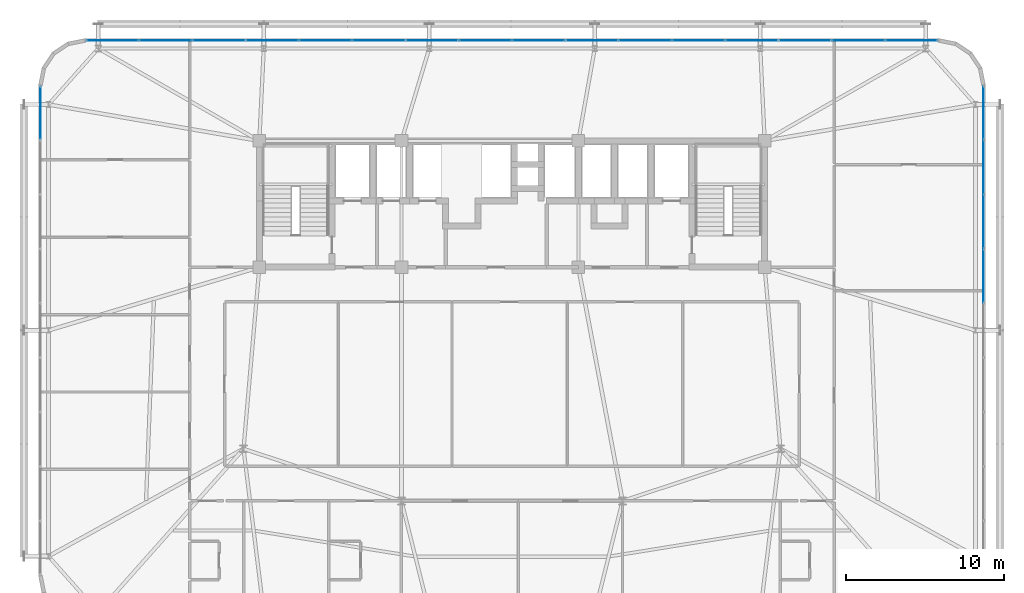
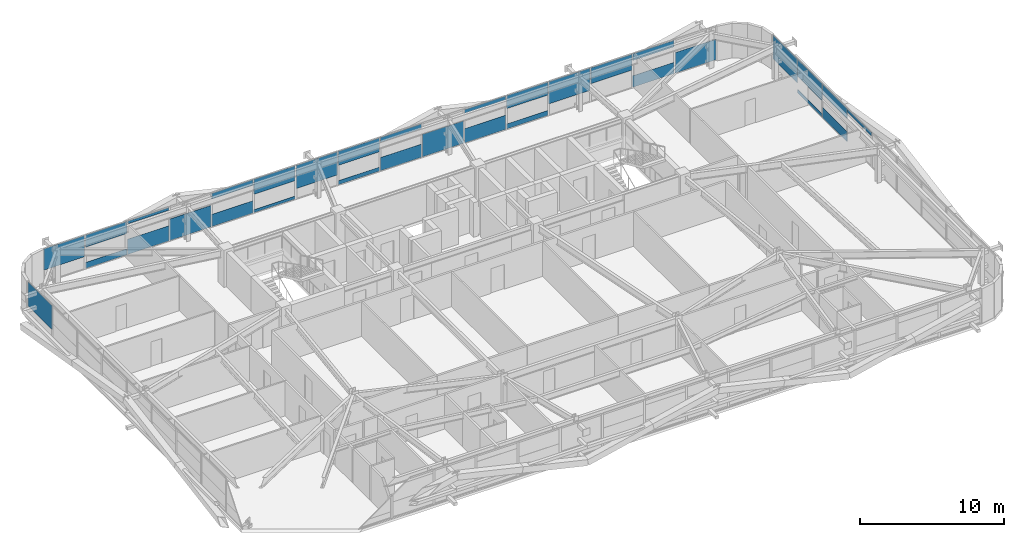
# One storey, part 43 of 58: 32 plates, 3 elements without a shape of their own.
"""IFC4 building model written with IfcOpenShell, lengths in metres."""

import ifcopenshell
import ifcopenshell.guid

model = None  # the IFC model being written
_history = None  # IfcOwnerHistory: only IFC2X3 demands one
_inside = {}  # id of a spatial element -> (the spatial element, [elements in it])
_under = {}  # id of a project, library or spatial element -> (it, [spatial elements below it])
_declared = {}  # id of a project -> (the project, [libraries it declares])
_typed = {}  # id of a type object -> (the type object, [elements of that type])
_made_of = {}  # id of a material, layer set ... -> (it, [elements and type objects made of it])


def new_model(schema):
    """Start an empty IFC model of exactly this schema.

    Asked for "IFC4X3", IfcOpenShell would pick the latest addendum, in which some entities
    have other attributes; the version numbers below select the first issue.
    IFC2X3 requires an IfcOwnerHistory on every rooted entity: one is made here for all.
    """
    global model, _history
    if schema == "IFC4X3":
        model = ifcopenshell.file(schema_version=(4, 3, 0, 0))
    else:
        model = ifcopenshell.file(schema=schema)
    _inside.clear()
    _under.clear()
    _declared.clear()
    _typed.clear()
    _made_of.clear()
    _history = None
    if model.schema == "IFC2X3":
        org = make("IfcOrganization", Name="unknown")
        user = make(
            "IfcPersonAndOrganization",
            ThePerson=make("IfcPerson", FamilyName="unknown"),
            TheOrganization=org,
        )
        app = make(
            "IfcApplication",
            ApplicationDeveloper=org,
            Version="unknown",
            ApplicationFullName="unknown",
            ApplicationIdentifier="unknown",
        )
        _history = make(
            "IfcOwnerHistory",
            OwningUser=user,
            OwningApplication=app,
            ChangeAction="ADDED",
            CreationDate=0,
        )
    return model


def make(cls, **values):
    """One entity of the class cls with the attributes given. An attribute that is None is left unset."""
    return model.create_entity(
        cls, **{name: value for name, value in values.items() if value is not None}
    )


def rooted(cls, **values):
    """An entity with a GlobalId (a new one), such as an element, a storey or a relation."""
    return make(cls, GlobalId=ifcopenshell.guid.new(), OwnerHistory=_history, **values)


def si_unit(unit_type, name, prefix=None):
    """IfcSIUnit, for example si_unit("LENGTHUNIT", "METRE", prefix="MILLI")."""
    return make("IfcSIUnit", UnitType=unit_type, Prefix=prefix, Name=name)


def assignment(units):
    """IfcUnitAssignment: the units of a project."""
    return None if units is None else make("IfcUnitAssignment", Units=units)


def point(xyz):
    """IfcCartesianPoint."""
    return None if xyz is None else make("IfcCartesianPoint", Coordinates=xyz)


def direction(xyz):
    """IfcDirection."""
    return None if xyz is None else make("IfcDirection", DirectionRatios=xyz)


def frame(location, z_axis=None, x_axis=None):
    """IfcAxis2Placement3D, a coordinate frame: its origin and axes. An axis left out is left unset."""
    return make(
        "IfcAxis2Placement3D",
        Location=point(location),
        Axis=direction(z_axis),
        RefDirection=direction(x_axis),
    )


def frame_2d(location, x_axis=None):
    """IfcAxis2Placement2D, a coordinate frame in the plane: its origin and x axis."""
    return make(
        "IfcAxis2Placement2D", Location=point(location), RefDirection=direction(x_axis)
    )


def origin():
    """The frame at (0, 0, 0) with its axes left unset."""
    return frame((0.0, 0.0, 0.0))


def origin_2d():
    """The frame at (0, 0) in the plane with its x axis left unset."""
    return frame_2d((0.0, 0.0))


def place(relative_to, where):
    """IfcLocalPlacement: puts the frame where relative to a parent placement (None: the world)."""
    return make(
        "IfcLocalPlacement", PlacementRelTo=relative_to, RelativePlacement=where
    )


def context(
    kind, dimensions, precision=None, world=None, true_north=None, identifier=None
):
    """IfcGeometricRepresentationContext, for example the 3D "Model" context."""
    return make(
        "IfcGeometricRepresentationContext",
        ContextIdentifier=identifier,
        ContextType=kind,
        CoordinateSpaceDimension=dimensions,
        Precision=precision,
        WorldCoordinateSystem=world,
        TrueNorth=true_north,
    )


def subcontext(parent, identifier, kind, view, scale=None):
    """IfcGeometricRepresentationSubContext, for example "Body" below "Model"."""
    return make(
        "IfcGeometricRepresentationSubContext",
        ContextIdentifier=identifier,
        ContextType=kind,
        ParentContext=parent,
        TargetScale=scale,
        TargetView=view,
    )


def project(units=None, contexts=None):
    """IfcProject with its units and contexts."""
    return rooted(
        "IfcProject",
        Name="project",
        RepresentationContexts=contexts,
        UnitsInContext=assignment(units),
    )


def spatial(cls, under=None, at=None, **own):
    """A site, building, storey or space (cls), placed at a placement, below another one or the project."""
    s = rooted(cls, ObjectPlacement=at, **own)
    if under is not None:
        _under.setdefault(under.id(), (under, []))[1].append(s)
    return s


def profile(cls, at=None, kind="AREA", **sizes):
    """A parametric profile (cls). Its sizes go by their IFC names, for example OverallWidth=200.0."""
    return make(cls, ProfileType=kind, Position=at, **sizes)


def rectangle(**sizes):
    """IfcRectangleProfileDef."""
    return profile("IfcRectangleProfileDef", **sizes)


def extrude(swept, where, along, depth):
    """IfcExtrudedAreaSolid: the profile swept, set in the frame where, extruded along a direction by depth."""
    return make(
        "IfcExtrudedAreaSolid",
        SweptArea=swept,
        Position=where,
        ExtrudedDirection=direction(along),
        Depth=depth,
    )


def shape(context_of_items, identifier, shape_type, items):
    """IfcShapeRepresentation: the items that make up one representation, for example the "Body"."""
    return make(
        "IfcShapeRepresentation",
        ContextOfItems=context_of_items,
        RepresentationIdentifier=identifier,
        RepresentationType=shape_type,
        Items=items,
    )


def source(mapping_origin, context_of_items, identifier, shape_type, items):
    """IfcRepresentationMap: a shape defined once, which mapped items show again and again."""
    return make(
        "IfcRepresentationMap",
        MappingOrigin=mapping_origin,
        MappedRepresentation=shape(context_of_items, identifier, shape_type, items),
    )


def transform(
    local_origin,
    x_axis=None,
    y_axis=None,
    z_axis=None,
    scale=None,
    scale2=None,
    scale3=None,
    uniform=True,
):
    """IfcCartesianTransformationOperator3D, or its non-uniform kind. x_axis, y_axis, z_axis: its Axis1, 2, 3."""
    if uniform:
        return make(
            "IfcCartesianTransformationOperator3D",
            Axis1=direction(x_axis),
            Axis2=direction(y_axis),
            LocalOrigin=point(local_origin),
            Scale=scale,
            Axis3=direction(z_axis),
        )
    return make(
        "IfcCartesianTransformationOperator3DnonUniform",
        Axis1=direction(x_axis),
        Axis2=direction(y_axis),
        LocalOrigin=point(local_origin),
        Scale=scale,
        Axis3=direction(z_axis),
        Scale2=scale2,
        Scale3=scale3,
    )


def mapped(mapping_source, mapping_target):
    """IfcMappedItem: shows the shape of a source again, moved by a transform."""
    return make(
        "IfcMappedItem", MappingSource=mapping_source, MappingTarget=mapping_target
    )


def material(Name=None, Category=None):
    """IfcMaterial."""
    return make("IfcMaterial", Name=Name, Category=Category)


def layer(
    of_material, thickness, ventilated=None, Name=None, Category=None, Priority=None
):
    """IfcMaterialLayer: one layer of a wall or slab, of a material (None: an air gap)."""
    return make(
        "IfcMaterialLayer",
        Material=of_material,
        LayerThickness=thickness,
        IsVentilated=ventilated,
        Name=Name,
        Category=Category,
        Priority=Priority,
    )


def layer_set(layers, Name=None):
    """IfcMaterialLayerSet."""
    return make("IfcMaterialLayerSet", MaterialLayers=layers, LayerSetName=Name)


def made_of(thing, what):
    """Note that an element or type object is made of a material, layer set ...; save() writes the relation."""
    if what is not None:
        _made_of.setdefault(what.id(), (what, []))[1].append(thing)
    return thing


def type_object(cls, material=None, **own):
    """A type object (cls), such as IfcWallType, which elements share."""
    return made_of(rooted(cls, **own), material)


def element(
    cls,
    number,
    at=None,
    inside=None,
    cuts=None,
    type_object=None,
    material=None,
    context=None,
    identifier="Body",
    shape_type=None,
    held_by="IfcProductDefinitionShape",
    body=None,
    shapes=None,
    **own,
):
    """One element of the class cls, such as IfcWall. Its Tag is "e" and its number.

    at: its placement. inside: the storey or other place that contains it. cuts: it is an
    opening in that element (IfcRelVoidsElement). A single representation is given by context,
    identifier, shape_type and body (its items); several are given by shapes. held_by: the class
    of the entity that holds the representations. save() writes the other relations.
    """
    e = rooted(cls, Tag="e%d" % number, ObjectPlacement=at, **own)
    if body is not None:
        shapes = [shape(context, identifier, shape_type, body)]
    if shapes is not None:
        e.Representation = make(held_by, Representations=shapes)
    if inside is not None:
        _inside.setdefault(inside.id(), (inside, []))[1].append(e)
    if cuts is not None:
        rooted(
            "IfcRelVoidsElement", RelatingBuildingElement=cuts, RelatedOpeningElement=e
        )
    if type_object is not None:
        _typed.setdefault(type_object.id(), (type_object, []))[1].append(e)
    return made_of(e, material)


def aggregate(whole, parts):
    """IfcRelAggregates: a whole, such as a stair, and the parts it consists of."""
    return rooted("IfcRelAggregates", RelatingObject=whole, RelatedObjects=parts)


def save(model, path):
    """Write the relations noted so far, then the file.

    IfcRelAggregates (storeys below a building ...), IfcRelContainedInSpatialStructure (elements
    in a storey), IfcRelDefinesByType, IfcRelAssociatesMaterial and IfcRelDeclares: one each for
    every whole, place, type object, material and project.
    """
    for whole, parts in _under.values():
        aggregate(whole, parts)
    for where, things in _inside.values():
        rooted(
            "IfcRelContainedInSpatialStructure",
            RelatedElements=things,
            RelatingStructure=where,
        )
    for kind, things in _typed.values():
        rooted("IfcRelDefinesByType", RelatedObjects=things, RelatingType=kind)
    for what, things in _made_of.values():
        rooted("IfcRelAssociatesMaterial", RelatedObjects=things, RelatingMaterial=what)
    for by, libraries in _declared.values():
        rooted("IfcRelDeclares", RelatingContext=by, RelatedDefinitions=libraries)
    model.write(path)


model = new_model("IFC4")

# Units and contexts
model_context = context("Model", 3, precision=1e-05, world=origin(), true_north=direction((0.0, 1.0)))
body_context = subcontext(model_context, "Body", "Model", "MODEL_VIEW")
ifc_project = project(units=[si_unit("LENGTHUNIT", "METRE"), si_unit("AREAUNIT", "SQUARE_METRE"), si_unit("VOLUMEUNIT", "CUBIC_METRE"), si_unit("PLANEANGLEUNIT", "RADIAN"), si_unit("MASSUNIT", "GRAM", prefix="KILO")], contexts=[model_context])

# Site, building, storey
site_placement = place(None, origin())
site = spatial("IfcSite", under=ifc_project, at=site_placement, CompositionType="ELEMENT")
building_placement = place(site_placement, origin())
building = spatial("IfcBuilding", under=site, at=building_placement, Name="Taldren Reach Tower", CompositionType="ELEMENT")
storey_placement = place(building_placement, frame((0.0, 0.0, 35.699951171875)))
storey = spatial("IfcBuildingStorey", under=building, at=storey_placement, Name="L10", CompositionType="ELEMENT", Elevation=35.699951171875)

# Curtain wall, plates
ifc_material_1 = material(Name="Aluminium and Low-E Glass Unitised System", Category="aluminium")
ifc_layer_1 = layer(ifc_material_1, 0.159912109375)
ifc_layer_set_1 = layer_set([ifc_layer_1], Name="Aluminium and Low-E Glass Unitised System")
curtain_wall_type = type_object("IfcCurtainWallType", Name="CW-SYS-2", PredefinedType="NOTDEFINED", material=ifc_layer_set_1)
curtain_wall_1_placement = place(storey_placement, origin())
curtain_wall_1 = element("IfcCurtainWall", 1, at=curtain_wall_1_placement, inside=storey, type_object=curtain_wall_type, Name="Unitised curtain wall CW-L10-N", PredefinedType="NOTDEFINED")
ifc_material_2 = material(Name="Solar-Control Double Glazed IGU", Category="glass")
ifc_layer_2 = layer(ifc_material_2, 0.031982421875)
ifc_layer_set_2 = layer_set([ifc_layer_2], Name="Solar-Control Double Glazed IGU")
plate_type = type_object("IfcPlateType", Name="CW-PNL-IGU32", PredefinedType="CURTAIN_PANEL", material=ifc_layer_set_2)
shared_shape_1 = source(origin(), body_context, "Body", "SweptSolid", [
    extrude(rectangle(XDim=3.277587890625, YDim=0.031982421875, at=origin_2d()), origin(), (0.0, 0.0, 1.0), 1.73876953125),
])
plate_1_placement = place(storey_placement, frame((60.296142578125, 38.360107421875, 0.054931640625), z_axis=(0.0, 0.0, 1.0), x_axis=(-1.0, 0.0, 0.0)))
plate_1 = element("IfcPlate", 2, at=plate_1_placement, type_object=plate_type, Name="CW-2 panel 1.1 part 1", PredefinedType="CURTAIN_PANEL", context=body_context, shape_type="MappedRepresentation", body=[
    mapped(shared_shape_1, transform((0.0, 0.0, 0.0), scale=1.0)),
])
shared_shape_2 = source(origin(), body_context, "Body", "SweptSolid", [
    extrude(rectangle(XDim=3.31005859375, YDim=0.031982421875, at=origin_2d()), origin(), (0.0, 0.0, 1.0), 0.9560546875),
])
plate_2_placement = place(storey_placement, frame((56.9375, 38.360107421875, 0.05517578125), z_axis=(0.0, 0.0, 1.0), x_axis=(-1.0, 0.0, 0.0)))
plate_2 = element("IfcPlate", 3, at=plate_2_placement, type_object=plate_type, Name="CW-2 panel 2.1 part 1", PredefinedType="CURTAIN_PANEL", context=body_context, shape_type="MappedRepresentation", body=[
    mapped(shared_shape_2, transform((0.0, 0.0, 0.0), scale=1.0)),
])
shared_shape_3 = source(origin(), body_context, "Body", "SweptSolid", [
    extrude(rectangle(XDim=3.31005859375, YDim=0.031982421875, at=origin_2d()), origin(), (0.0, 0.0, 1.0), 0.562744140625),
])
plate_3_placement = place(storey_placement, frame((56.9375, 38.360107421875, 2.3125), z_axis=(0.0, 0.0, 1.0), x_axis=(-1.0, 0.0, 0.0)))
plate_3 = element("IfcPlate", 4, at=plate_3_placement, type_object=plate_type, Name="CW-2 panel 2.1 part 2", PredefinedType="CURTAIN_PANEL", context=body_context, shape_type="MappedRepresentation", body=[
    mapped(shared_shape_3, transform((0.0, 0.0, 0.0), scale=1.0)),
])
shared_shape_4 = source(origin(), body_context, "Body", "SweptSolid", [
    extrude(rectangle(XDim=3.31005859375, YDim=0.031982421875, at=origin_2d()), origin(), (0.0, 0.0, 1.0), 1.345458984375),
])
plate_4_placement = place(storey_placement, frame((53.5625, 38.360107421875, 1.52978515625), z_axis=(0.0, 0.0, 1.0), x_axis=(-1.0, 0.0, 0.0)))
plate_4 = element("IfcPlate", 5, at=plate_4_placement, type_object=plate_type, Name="CW-2 panel 3.1 part 1", PredefinedType="CURTAIN_PANEL", context=body_context, shape_type="MappedRepresentation", body=[
    mapped(shared_shape_4, transform((0.0, 0.0, 0.0), scale=1.0)),
])
shared_shape_5 = source(origin(), body_context, "Body", "SweptSolid", [
    extrude(rectangle(XDim=3.31005859375, YDim=0.031982421875, at=origin_2d()), origin(), (0.0, 0.0, 1.0), 1.881103515625),
])
plate_5_placement = place(storey_placement, frame((50.1875, 38.360107421875, 0.994140625), z_axis=(0.0, 0.0, 1.0), x_axis=(-1.0, 0.0, 0.0)))
plate_5 = element("IfcPlate", 6, at=plate_5_placement, type_object=plate_type, Name="CW-2 panel 4.1 part 1", PredefinedType="CURTAIN_PANEL", context=body_context, shape_type="MappedRepresentation", body=[
    mapped(shared_shape_5, transform((0.0, 0.0, 0.0), scale=1.0)),
])
shared_shape_6 = source(origin(), body_context, "Body", "SweptSolid", [
    extrude(rectangle(XDim=3.31005859375, YDim=0.031982421875, at=origin_2d()), origin(), (0.0, 0.0, 1.0), 0.42041015625),
])
plate_6_placement = place(storey_placement, frame((46.8125, 38.360107421875, 0.05517578125), z_axis=(0.0, 0.0, 1.0), x_axis=(-1.0, 0.0, 0.0)))
plate_6 = element("IfcPlate", 7, at=plate_6_placement, type_object=plate_type, Name="CW-2 panel 5.1 part 1", PredefinedType="CURTAIN_PANEL", context=body_context, shape_type="MappedRepresentation", body=[
    mapped(shared_shape_6, transform((0.0, 0.0, 0.0), scale=1.0)),
])
shared_shape_7 = source(origin(), body_context, "Body", "SweptSolid", [
    extrude(rectangle(XDim=3.31005859375, YDim=0.031982421875, at=origin_2d()), origin(), (0.0, 0.0, 1.0), 1.098388671875),
])
plate_7_placement = place(storey_placement, frame((46.8125, 38.360107421875, 1.77685546875), z_axis=(0.0, 0.0, 1.0), x_axis=(-1.0, 0.0, 0.0)))
plate_7 = element("IfcPlate", 8, at=plate_7_placement, type_object=plate_type, Name="CW-2 panel 5.1 part 2", PredefinedType="CURTAIN_PANEL", context=body_context, shape_type="MappedRepresentation", body=[
    mapped(shared_shape_7, transform((0.0, 0.0, 0.0), scale=1.0)),
])
shared_shape_8 = source(origin(), body_context, "Body", "SweptSolid", [
    extrude(rectangle(XDim=3.31005859375, YDim=0.031982421875, at=origin_2d()), origin(), (0.0, 0.0, 1.0), 1.203125),
])
plate_8_placement = place(storey_placement, frame((43.4375, 38.360107421875, 0.054931640625), z_axis=(0.0, 0.0, 1.0), x_axis=(-1.0, 0.0, 0.0)))
plate_8 = element("IfcPlate", 9, at=plate_8_placement, type_object=plate_type, Name="CW-2 panel 6.1 part 1", PredefinedType="CURTAIN_PANEL", context=body_context, shape_type="MappedRepresentation", body=[
    mapped(shared_shape_8, transform((0.0, 0.0, 0.0), scale=1.0)),
])
shared_shape_9 = source(origin(), body_context, "Body", "SweptSolid", [
    extrude(rectangle(XDim=3.31005859375, YDim=0.031982421875, at=origin_2d()), origin(), (0.0, 0.0, 1.0), 0.31591796875),
])
plate_9_placement = place(storey_placement, frame((43.4375, 38.360107421875, 2.55908203125), z_axis=(0.0, 0.0, 1.0), x_axis=(-1.0, 0.0, 0.0)))
plate_9 = element("IfcPlate", 10, at=plate_9_placement, type_object=plate_type, Name="CW-2 panel 6.1 part 2", PredefinedType="CURTAIN_PANEL", context=body_context, shape_type="MappedRepresentation", body=[
    mapped(shared_shape_9, transform((0.0, 0.0, 0.0), scale=1.0)),
])
shared_shape_10 = source(origin(), body_context, "Body", "SweptSolid", [
    extrude(rectangle(XDim=3.31005859375, YDim=0.031982421875, at=origin_2d()), origin(), (0.0, 0.0, 1.0), 1.9033203125),
])
plate_10_placement = place(storey_placement, frame((40.0625, 38.360107421875, 0.05517578125), z_axis=(0.0, 0.0, 1.0), x_axis=(-1.0, 0.0, 0.0)))
plate_10 = element("IfcPlate", 11, at=plate_10_placement, type_object=plate_type, Name="CW-2 panel 7.1 part 1", PredefinedType="CURTAIN_PANEL", context=body_context, shape_type="MappedRepresentation", body=[
    mapped(shared_shape_10, transform((0.0, 0.0, 0.0), scale=1.0)),
])
shared_shape_11 = source(origin(), body_context, "Body", "SweptSolid", [
    extrude(rectangle(XDim=3.31005859375, YDim=0.031982421875, at=origin_2d()), origin(), (0.0, 0.0, 1.0), 1.120849609375),
])
plate_11_placement = place(storey_placement, frame((36.6875, 38.360107421875, 0.05517578125), z_axis=(0.0, 0.0, 1.0), x_axis=(-1.0, 0.0, 0.0)))
plate_11 = element("IfcPlate", 12, at=plate_11_placement, type_object=plate_type, Name="CW-2 panel 8.1 part 1", PredefinedType="CURTAIN_PANEL", context=body_context, shape_type="MappedRepresentation", body=[
    mapped(shared_shape_11, transform((0.0, 0.0, 0.0), scale=1.0)),
])
shared_shape_12 = source(origin(), body_context, "Body", "SweptSolid", [
    extrude(rectangle(XDim=3.31005859375, YDim=0.031982421875, at=origin_2d()), origin(), (0.0, 0.0, 1.0), 0.398193359375),
])
plate_12_placement = place(storey_placement, frame((36.6875, 38.360107421875, 2.47705078125), z_axis=(0.0, 0.0, 1.0), x_axis=(-1.0, 0.0, 0.0)))
plate_12 = element("IfcPlate", 13, at=plate_12_placement, type_object=plate_type, Name="CW-2 panel 8.1 part 2", PredefinedType="CURTAIN_PANEL", context=body_context, shape_type="MappedRepresentation", body=[
    mapped(shared_shape_12, transform((0.0, 0.0, 0.0), scale=1.0)),
])
shared_shape_13 = source(origin(), body_context, "Body", "SweptSolid", [
    extrude(rectangle(XDim=3.31005859375, YDim=0.031982421875, at=origin_2d()), origin(), (0.0, 0.0, 1.0), 0.338134765625),
])
plate_13_placement = place(storey_placement, frame((33.3125, 38.360107421875, 0.05517578125), z_axis=(0.0, 0.0, 1.0), x_axis=(-1.0, 0.0, 0.0)))
plate_13 = element("IfcPlate", 14, at=plate_13_placement, type_object=plate_type, Name="CW-2 panel 9.1 part 1", PredefinedType="CURTAIN_PANEL", context=body_context, shape_type="MappedRepresentation", body=[
    mapped(shared_shape_13, transform((0.0, 0.0, 0.0), scale=1.0)),
])
shared_shape_14 = source(origin(), body_context, "Body", "SweptSolid", [
    extrude(rectangle(XDim=3.31005859375, YDim=0.031982421875, at=origin_2d()), origin(), (0.0, 0.0, 1.0), 1.1806640625),
])
plate_14_placement = place(storey_placement, frame((33.3125, 38.360107421875, 1.6943359375), z_axis=(0.0, 0.0, 1.0), x_axis=(-1.0, 0.0, 0.0)))
plate_14 = element("IfcPlate", 15, at=plate_14_placement, type_object=plate_type, Name="CW-2 panel 9.1 part 2", PredefinedType="CURTAIN_PANEL", context=body_context, shape_type="MappedRepresentation", body=[
    mapped(shared_shape_14, transform((0.0, 0.0, 0.0), scale=1.0)),
])
shared_shape_15 = source(origin(), body_context, "Body", "SweptSolid", [
    extrude(rectangle(XDim=3.31005859375, YDim=0.031982421875, at=origin_2d()), origin(), (0.0, 0.0, 1.0), 1.96337890625),
])
plate_15_placement = place(storey_placement, frame((29.9375, 38.360107421875, 0.91162109375), z_axis=(0.0, 0.0, 1.0), x_axis=(-1.0, 0.0, 0.0)))
plate_15 = element("IfcPlate", 16, at=plate_15_placement, type_object=plate_type, Name="CW-2 panel 10.1 part 1", PredefinedType="CURTAIN_PANEL", context=body_context, shape_type="MappedRepresentation", body=[
    mapped(shared_shape_15, transform((0.0, 0.0, 0.0), scale=1.0)),
])
shared_shape_16 = source(origin(), body_context, "Body", "SweptSolid", [
    extrude(rectangle(XDim=3.31005859375, YDim=0.031982421875, at=origin_2d()), origin(), (0.0, 0.0, 1.0), 0.255859375),
])
plate_16_placement = place(storey_placement, frame((26.5625, 38.360107421875, 0.05517578125), z_axis=(0.0, 0.0, 1.0), x_axis=(-1.0, 0.0, 0.0)))
plate_16 = element("IfcPlate", 17, at=plate_16_placement, type_object=plate_type, Name="CW-2 panel 11.1 part 1", PredefinedType="CURTAIN_PANEL", context=body_context, shape_type="MappedRepresentation", body=[
    mapped(shared_shape_16, transform((0.0, 0.0, 0.0), scale=1.0)),
])
shared_shape_17 = source(origin(), body_context, "Body", "SweptSolid", [
    extrude(rectangle(XDim=3.31005859375, YDim=0.031982421875, at=origin_2d()), origin(), (0.0, 0.0, 1.0), 1.26318359375),
])
plate_17_placement = place(storey_placement, frame((26.5625, 38.360107421875, 1.61181640625), z_axis=(0.0, 0.0, 1.0), x_axis=(-1.0, 0.0, 0.0)))
plate_17 = element("IfcPlate", 18, at=plate_17_placement, type_object=plate_type, Name="CW-2 panel 11.1 part 2", PredefinedType="CURTAIN_PANEL", context=body_context, shape_type="MappedRepresentation", body=[
    mapped(shared_shape_17, transform((0.0, 0.0, 0.0), scale=1.0)),
])
shared_shape_18 = source(origin(), body_context, "Body", "SweptSolid", [
    extrude(rectangle(XDim=3.31005859375, YDim=0.031982421875, at=origin_2d()), origin(), (0.0, 0.0, 1.0), 1.03857421875),
])
plate_18_placement = place(storey_placement, frame((23.1875, 38.360107421875, 0.054931640625), z_axis=(0.0, 0.0, 1.0), x_axis=(-1.0, 0.0, 0.0)))
plate_18 = element("IfcPlate", 19, at=plate_18_placement, type_object=plate_type, Name="CW-2 panel 12.1 part 1", PredefinedType="CURTAIN_PANEL", context=body_context, shape_type="MappedRepresentation", body=[
    mapped(shared_shape_18, transform((0.0, 0.0, 0.0), scale=1.0)),
])
shared_shape_19 = source(origin(), body_context, "Body", "SweptSolid", [
    extrude(rectangle(XDim=3.31005859375, YDim=0.031982421875, at=origin_2d()), origin(), (0.0, 0.0, 1.0), 0.48046875),
])
plate_19_placement = place(storey_placement, frame((23.1875, 38.360107421875, 2.39453125), z_axis=(0.0, 0.0, 1.0), x_axis=(-1.0, 0.0, 0.0)))
plate_19 = element("IfcPlate", 20, at=plate_19_placement, type_object=plate_type, Name="CW-2 panel 12.1 part 2", PredefinedType="CURTAIN_PANEL", context=body_context, shape_type="MappedRepresentation", body=[
    mapped(shared_shape_19, transform((0.0, 0.0, 0.0), scale=1.0)),
])
shared_shape_20 = source(origin(), body_context, "Body", "SweptSolid", [
    extrude(rectangle(XDim=3.31005859375, YDim=0.031982421875, at=origin_2d()), origin(), (0.0, 0.0, 1.0), 1.821044921875),
])
plate_20_placement = place(storey_placement, frame((19.8125, 38.360107421875, 0.05517578125), z_axis=(0.0, 0.0, 1.0), x_axis=(-1.0, 0.0, 0.0)))
plate_20 = element("IfcPlate", 21, at=plate_20_placement, type_object=plate_type, Name="CW-2 panel 13.1 part 1", PredefinedType="CURTAIN_PANEL", context=body_context, shape_type="MappedRepresentation", body=[
    mapped(shared_shape_20, transform((0.0, 0.0, 0.0), scale=1.0)),
])
shared_shape_21 = source(origin(), body_context, "Body", "SweptSolid", [
    extrude(rectangle(XDim=3.31005859375, YDim=0.031982421875, at=origin_2d()), origin(), (0.0, 0.0, 1.0), 1.285400390625),
])
plate_21_placement = place(storey_placement, frame((16.4375, 38.360107421875, 0.05517578125), z_axis=(0.0, 0.0, 1.0), x_axis=(-1.0, 0.0, 0.0)))
plate_21 = element("IfcPlate", 22, at=plate_21_placement, type_object=plate_type, Name="CW-2 panel 14.1 part 1", PredefinedType="CURTAIN_PANEL", context=body_context, shape_type="MappedRepresentation", body=[
    mapped(shared_shape_21, transform((0.0, 0.0, 0.0), scale=1.0)),
])
shared_shape_22 = source(origin(), body_context, "Body", "SweptSolid", [
    extrude(rectangle(XDim=3.31005859375, YDim=0.031982421875, at=origin_2d()), origin(), (0.0, 0.0, 1.0), 0.233642578125),
])
plate_22_placement = place(storey_placement, frame((16.4375, 38.360107421875, 2.6416015625), z_axis=(0.0, 0.0, 1.0), x_axis=(-1.0, 0.0, 0.0)))
plate_22 = element("IfcPlate", 23, at=plate_22_placement, type_object=plate_type, Name="CW-2 panel 14.1 part 2", PredefinedType="CURTAIN_PANEL", context=body_context, shape_type="MappedRepresentation", body=[
    mapped(shared_shape_22, transform((0.0, 0.0, 0.0), scale=1.0)),
])
shared_shape_23 = source(origin(), body_context, "Body", "SweptSolid", [
    extrude(rectangle(XDim=3.31005859375, YDim=0.031982421875, at=origin_2d()), origin(), (0.0, 0.0, 1.0), 0.5029296875),
])
plate_23_placement = place(storey_placement, frame((13.0625, 38.360107421875, 0.054931640625), z_axis=(0.0, 0.0, 1.0), x_axis=(-1.0, 0.0, 0.0)))
plate_23 = element("IfcPlate", 24, at=plate_23_placement, type_object=plate_type, Name="CW-2 panel 15.1 part 1", PredefinedType="CURTAIN_PANEL", context=body_context, shape_type="MappedRepresentation", body=[
    mapped(shared_shape_23, transform((0.0, 0.0, 0.0), scale=1.0)),
])
shared_shape_24 = source(origin(), body_context, "Body", "SweptSolid", [
    extrude(rectangle(XDim=3.31005859375, YDim=0.031982421875, at=origin_2d()), origin(), (0.0, 0.0, 1.0), 1.01611328125),
])
plate_24_placement = place(storey_placement, frame((13.0625, 38.360107421875, 1.85888671875), z_axis=(0.0, 0.0, 1.0), x_axis=(-1.0, 0.0, 0.0)))
plate_24 = element("IfcPlate", 25, at=plate_24_placement, type_object=plate_type, Name="CW-2 panel 15.1 part 2", PredefinedType="CURTAIN_PANEL", context=body_context, shape_type="MappedRepresentation", body=[
    mapped(shared_shape_24, transform((0.0, 0.0, 0.0), scale=1.0)),
])
shared_shape_25 = source(origin(), body_context, "Body", "SweptSolid", [
    extrude(rectangle(XDim=3.277587890625, YDim=0.031982421875, at=origin_2d()), origin(), (0.0, 0.0, 1.0), 1.798583984375),
])
plate_25_placement = place(storey_placement, frame((9.703857421875, 38.360107421875, 1.076171875), z_axis=(0.0, 0.0, 1.0), x_axis=(-1.0, 0.0, 0.0)))
plate_25 = element("IfcPlate", 26, at=plate_25_placement, type_object=plate_type, Name="CW-2 panel 16.1 part 1", PredefinedType="CURTAIN_PANEL", context=body_context, shape_type="MappedRepresentation", body=[
    mapped(shared_shape_25, transform((0.0, 0.0, 0.0), scale=1.0)),
])
aggregate(curtain_wall_1, [plate_1, plate_2, plate_3, plate_4, plate_5, plate_6, plate_7, plate_8, plate_9, plate_10, plate_11, plate_12, plate_13, plate_14, plate_15, plate_16, plate_17, plate_18, plate_19, plate_20, plate_21, plate_22, plate_23, plate_24, plate_25])

# Curtain wall, plate
curtain_wall_2_placement = place(storey_placement, origin())
curtain_wall_2 = element("IfcCurtainWall", 27, at=curtain_wall_2_placement, inside=storey, type_object=curtain_wall_type, Name="Unitised curtain wall CW-L10-W", PredefinedType="NOTDEFINED")
shared_shape_26 = source(origin(), body_context, "Body", "SweptSolid", [
    extrude(rectangle(XDim=3.346923828125, YDim=0.031982421875, at=origin_2d()), origin(), (0.0, 0.0, 1.0), 2.015380859375),
])
plate_26_placement = place(storey_placement, frame((5.139892578125, 33.761474609375, 0.85986328125), z_axis=(0.0, 0.0, 1.0), x_axis=(0.0, -1.0, 0.0)))
plate_26 = element("IfcPlate", 28, at=plate_26_placement, type_object=plate_type, Name="CW-2 panel 1.1 part 1", PredefinedType="CURTAIN_PANEL", context=body_context, shape_type="MappedRepresentation", body=[
    mapped(shared_shape_26, transform((0.0, 0.0, 0.0), scale=1.0)),
])
aggregate(curtain_wall_2, [plate_26])

# Curtain wall, plates
curtain_wall_3_placement = place(storey_placement, origin())
curtain_wall_3 = element("IfcCurtainWall", 29, at=curtain_wall_3_placement, inside=storey, type_object=curtain_wall_type, Name="Unitised curtain wall CW-L10-E", PredefinedType="NOTDEFINED")
plate_27_placement = place(storey_placement, frame((64.860107421875, 33.761474609375, 0.85986328125), z_axis=(0.0, 0.0, 1.0), x_axis=(0.0, 1.0, 0.0)))
plate_27 = element("IfcPlate", 30, at=plate_27_placement, type_object=plate_type, Name="CW-2 panel 9.1 part 1", PredefinedType="CURTAIN_PANEL", context=body_context, shape_type="MappedRepresentation", body=[
    mapped(shared_shape_26, transform((0.0, 0.0, 0.0), scale=1.0)),
])
shared_shape_27 = source(origin(), body_context, "Body", "SweptSolid", [
    extrude(rectangle(XDim=3.37939453125, YDim=0.031982421875, at=origin_2d()), origin(), (0.0, 0.0, 1.0), 0.288330078125),
])
plate_28_placement = place(storey_placement, frame((64.860107421875, 30.333251953125, 0.05517578125), z_axis=(0.0, 0.0, 1.0), x_axis=(0.0, 1.0, 0.0)))
plate_28 = element("IfcPlate", 31, at=plate_28_placement, type_object=plate_type, Name="CW-2 panel 8.1 part 1", PredefinedType="CURTAIN_PANEL", context=body_context, shape_type="MappedRepresentation", body=[
    mapped(shared_shape_27, transform((0.0, 0.0, 0.0), scale=1.0)),
])
shared_shape_28 = source(origin(), body_context, "Body", "SweptSolid", [
    extrude(rectangle(XDim=3.37939453125, YDim=0.031982421875, at=origin_2d()), origin(), (0.0, 0.0, 1.0), 1.43017578125),
])
plate_29_placement = place(storey_placement, frame((64.860107421875, 30.333251953125, 1.44482421875), z_axis=(0.0, 0.0, 1.0), x_axis=(0.0, 1.0, 0.0)))
plate_29 = element("IfcPlate", 32, at=plate_29_placement, type_object=plate_type, Name="CW-2 panel 8.1 part 2", PredefinedType="CURTAIN_PANEL", context=body_context, shape_type="MappedRepresentation", body=[
    mapped(shared_shape_28, transform((0.0, 0.0, 0.0), scale=1.0)),
])
shared_shape_29 = source(origin(), body_context, "Body", "SweptSolid", [
    extrude(rectangle(XDim=3.37939453125, YDim=0.031982421875, at=origin_2d()), origin(), (0.0, 0.0, 1.0), 0.87353515625),
])
plate_30_placement = place(storey_placement, frame((64.860107421875, 26.888916015625, 0.05517578125), z_axis=(0.0, 0.0, 1.0), x_axis=(0.0, 1.0, 0.0)))
plate_30 = element("IfcPlate", 33, at=plate_30_placement, type_object=plate_type, Name="CW-2 panel 7.1 part 1", PredefinedType="CURTAIN_PANEL", context=body_context, shape_type="MappedRepresentation", body=[
    mapped(shared_shape_29, transform((0.0, 0.0, 0.0), scale=1.0)),
])
shared_shape_30 = source(origin(), body_context, "Body", "SweptSolid", [
    extrude(rectangle(XDim=3.37939453125, YDim=0.031982421875, at=origin_2d()), origin(), (0.0, 0.0, 1.0), 0.8447265625),
])
plate_31_placement = place(storey_placement, frame((64.860107421875, 26.888916015625, 2.0302734375), z_axis=(0.0, 0.0, 1.0), x_axis=(0.0, 1.0, 0.0)))
plate_31 = element("IfcPlate", 34, at=plate_31_placement, type_object=plate_type, Name="CW-2 panel 7.1 part 2", PredefinedType="CURTAIN_PANEL", context=body_context, shape_type="MappedRepresentation", body=[
    mapped(shared_shape_30, transform((0.0, 0.0, 0.0), scale=1.0)),
])
shared_shape_31 = source(origin(), body_context, "Body", "SweptSolid", [
    extrude(rectangle(XDim=3.37939453125, YDim=0.031982421875, at=origin_2d()), origin(), (0.0, 0.0, 1.0), 0.259521484375),
])
plate_32_placement = place(storey_placement, frame((64.860107421875, 23.4443359375, 2.61572265625), z_axis=(0.0, 0.0, 1.0), x_axis=(0.0, 1.0, 0.0)))
plate_32 = element("IfcPlate", 35, at=plate_32_placement, type_object=plate_type, Name="CW-2 panel 6.1 part 2", PredefinedType="CURTAIN_PANEL", context=body_context, shape_type="MappedRepresentation", body=[
    mapped(shared_shape_31, transform((0.0, 0.0, 0.0), scale=1.0)),
])
aggregate(curtain_wall_3, [plate_32, plate_30, plate_31, plate_28, plate_29, plate_27])

save(model, "model.ifc")
